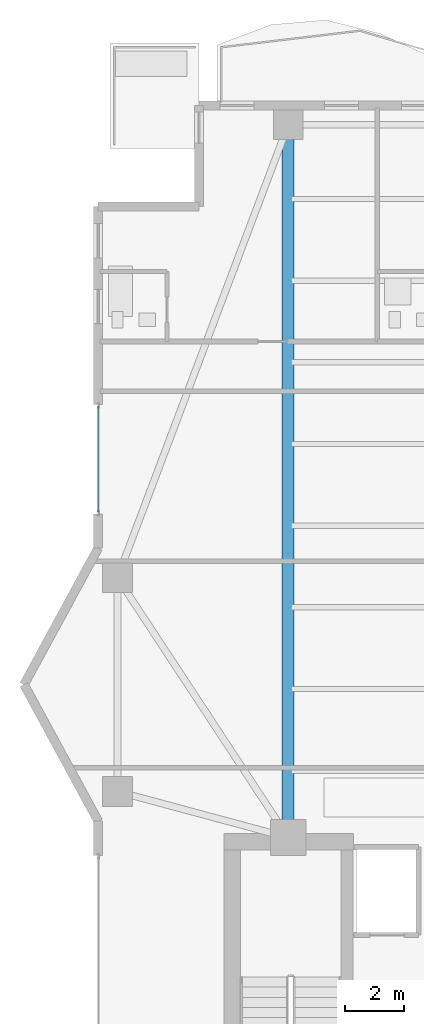
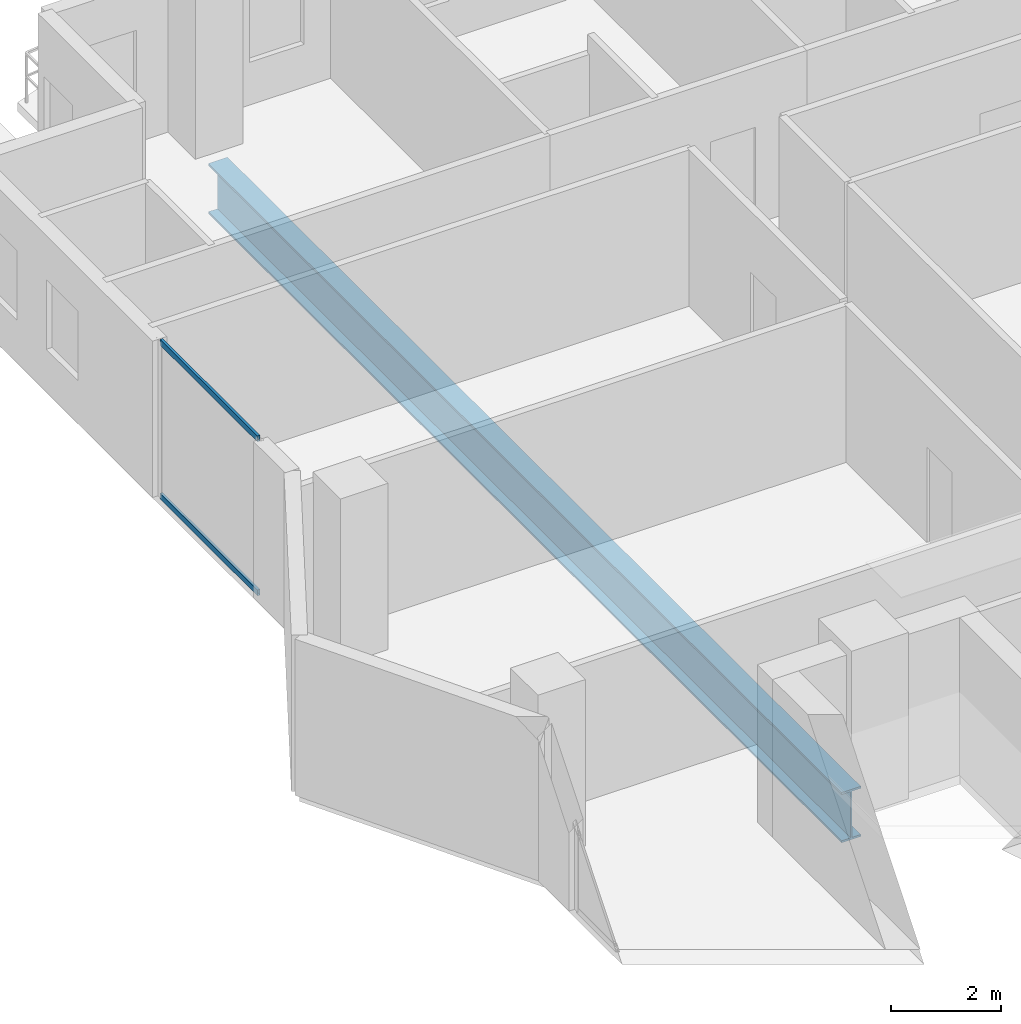
# One storey, part 7 of 23: 2 members, 1 beam, 1 element without a shape of its own.
"""IFC4 building model written with IfcOpenShell, lengths in metres."""

from ifc_helpers import new_model, si_unit, direction, frame, origin, origin_2d, place, context, subcontext, project, spatial, hollow_rectangle, i_section, extrude, material, layer, layer_set, material_profile, profile_set, type_object, element, aggregate, save


model = new_model("IFC4")

# Units and contexts
model_context = context("Model", 3, precision=1e-05, world=origin(), true_north=direction((0.0, 1.0)))
body_context = subcontext(model_context, "Body", "Model", "MODEL_VIEW")
ifc_project = project(units=[si_unit("LENGTHUNIT", "METRE"), si_unit("AREAUNIT", "SQUARE_METRE"), si_unit("VOLUMEUNIT", "CUBIC_METRE"), si_unit("PLANEANGLEUNIT", "RADIAN"), si_unit("MASSUNIT", "GRAM", prefix="KILO")], contexts=[model_context])

# Site, building, storey
site_placement = place(None, origin())
site = spatial("IfcSite", under=ifc_project, at=site_placement, CompositionType="ELEMENT")
building_placement = place(site_placement, origin())
building = spatial("IfcBuilding", under=site, at=building_placement, Name="Zuhayl Quay Hotel", CompositionType="ELEMENT")
storey_placement = place(building_placement, frame((0.0, 0.0, 272.949951171875)))
storey = spatial("IfcBuildingStorey", under=building, at=storey_placement, Name="L69", CompositionType="ELEMENT", Elevation=272.949951171875)

# Beam
ifc_material_1 = material(Name="Steel ASTM A913 Grade 65", Category="steel")
ifc_material_profile_1 = material_profile(ifc_material_1, i_section(OverallWidth=0.404052734375, OverallDepth=1.117919921875, WebThickness=0.026123046875, FlangeThickness=0.044921875, at=origin_2d()), Name="W44X335")
ifc_profile_set_1 = profile_set([ifc_material_profile_1], Name="Steel ASTM A913 Grade 65")
beam_type = type_object("IfcBeamType", Name="BM_TG1_W44X335", PredefinedType="BEAM", material=ifc_profile_set_1)
beam_placement = place(storey_placement, frame((-13.800048828125, 14.800048828125, -0.779052734375), z_axis=(0.0, 1.0, 0.0), x_axis=(-1.0, 0.0, 0.0)))
element("IfcBeam", 1, at=beam_placement, inside=storey, type_object=beam_type, Name="L69 Floor Beam FG_N_L69_1", PredefinedType="BEAM", context=body_context, shape_type="SweptSolid", body=[
    extrude(i_section(OverallWidth=0.404052734375, OverallDepth=1.117919921875, WebThickness=0.026123046875, FlangeThickness=0.044921875, at=origin_2d()), origin(), (0.0, 0.0, 1.0), 23.08984375),
])

# Curtain wall, members
ifc_material_2 = material(Name="Anodised Aluminium 6063-T6", Category="aluminium")
ifc_layer = layer(ifc_material_2, 0.169921875, Name="Anodised Aluminium 6063-T6", Category="aluminium")
ifc_layer_set = layer_set([ifc_layer], Name="Anodised Aluminium 6063-T6")
curtain_wall_type = type_object("IfcCurtainWallType", Name="CW_SYS_Z4", PredefinedType="USERDEFINED", material=ifc_layer_set)
curtain_wall_placement = place(storey_placement, origin())
curtain_wall = element("IfcCurtainWall", 2, at=curtain_wall_placement, inside=storey, type_object=curtain_wall_type, Name="L69 Curtain Wall ENV_L69_E05_CW1", ObjectType="UNITISED CURTAIN WALL", PredefinedType="USERDEFINED")
ifc_material_3 = material(Name="Black-anodised aluminium 6063-T6", Category="aluminium")
ifc_material_profile_2 = material_profile(ifc_material_3, hollow_rectangle(XDim=0.054931640625, YDim=0.1298828125, WallThickness=0.0029296875, at=origin_2d()), Name="ALU130X55")
ifc_profile_set_2 = profile_set([ifc_material_profile_2], Name="Black-anodised aluminium 6063-T6")
member_type = type_object("IfcMemberType", Name="MB_CW_TRN_130", PredefinedType="USERDEFINED", material=ifc_profile_set_2)
member_1_placement = place(storey_placement, frame((-20.199951171875, 25.31494140625, 0.027587890625), z_axis=(0.0, 1.0, 0.0), x_axis=(-1.0, 0.0, 0.0)))
member_1 = element("IfcMember", 3, at=member_1_placement, type_object=member_type, Name="CW-Z4 transom 1.1", ObjectType="TRANSOM", PredefinedType="USERDEFINED", context=body_context, shape_type="SweptSolid", body=[
    extrude(hollow_rectangle(XDim=0.054931640625, YDim=0.1298828125, WallThickness=0.0029296875, at=origin_2d()), origin(), (0.0, 0.0, 1.0), 3.550048828125),
])
member_2_placement = place(storey_placement, frame((-20.199951171875, 25.31494140625, 3.45263671875), z_axis=(0.0, 1.0, 0.0), x_axis=(-1.0, 0.0, 0.0)))
member_2 = element("IfcMember", 4, at=member_2_placement, type_object=member_type, Name="CW-Z4 transom 1.2", ObjectType="TRANSOM", PredefinedType="USERDEFINED", context=body_context, shape_type="SweptSolid", body=[
    extrude(hollow_rectangle(XDim=0.054931640625, YDim=0.1298828125, WallThickness=0.0029296875, at=origin_2d()), origin(), (0.0, 0.0, 1.0), 3.550048828125),
])
aggregate(curtain_wall, [member_1, member_2])

save(model, "model.ifc")
